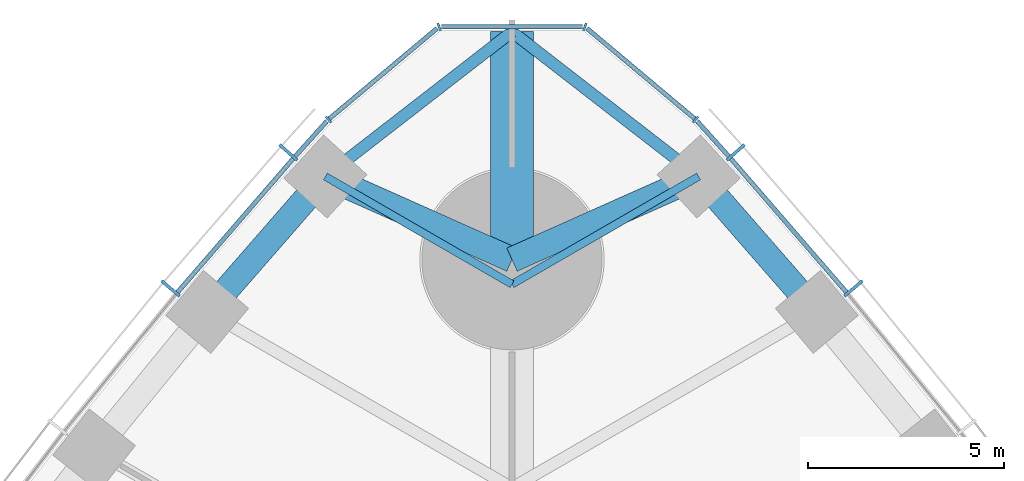
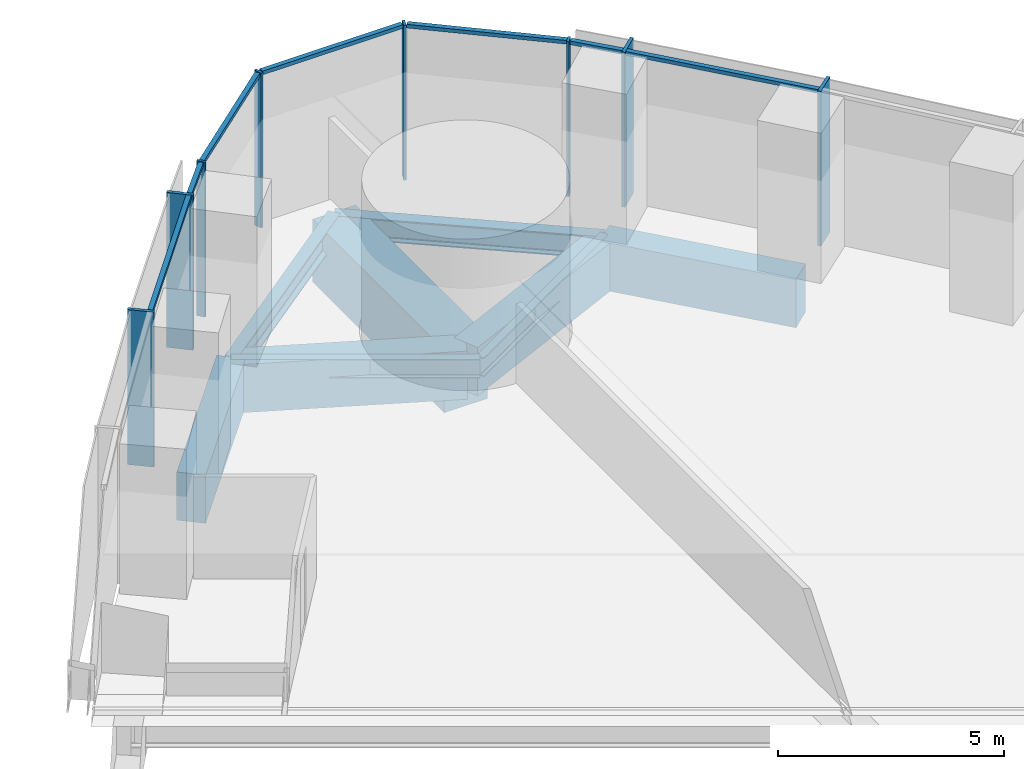
# One storey, part 7 of 19: 15 members, 9 beams, 3 elements without a shape of their own.
"""IFC4 building model written with IfcOpenShell, lengths in metres."""

from ifc_helpers import new_model, si_unit, direction, frame, origin, origin_2d, place, context, subcontext, project, spatial, rectangle, i_section, extrude, material, material_profile, profile_set, type_object, element, aggregate, save


model = new_model("IFC4")

# Units and contexts
model_context = context("Model", 3, precision=1e-05, world=origin(), true_north=direction((0.0, 1.0)))
body_context = subcontext(model_context, "Body", "Model", "MODEL_VIEW")
ifc_project = project(units=[si_unit("LENGTHUNIT", "METRE"), si_unit("AREAUNIT", "SQUARE_METRE"), si_unit("VOLUMEUNIT", "CUBIC_METRE"), si_unit("PLANEANGLEUNIT", "RADIAN"), si_unit("MASSUNIT", "GRAM", prefix="KILO")], contexts=[model_context])

# Site, building, storey
site_placement = place(None, origin())
site = spatial("IfcSite", under=ifc_project, at=site_placement, CompositionType="ELEMENT")
building_placement = place(site_placement, origin())
building = spatial("IfcBuilding", under=site, at=building_placement, Name="Trefoil Bronze Tower", CompositionType="ELEMENT")
storey_placement = place(building_placement, frame((0.0, 0.0, 16.5)))
storey = spatial("IfcBuildingStorey", under=building, at=storey_placement, Name="L03", CompositionType="ELEMENT", Elevation=16.5)

# Curtain wall, members
ifc_material_1 = material(Name="Tinted solar-control glass", Category="glass")
curtain_wall_type_1 = type_object("IfcCurtainWallType", Name="Bronze office curtain wall", PredefinedType="USERDEFINED", material=ifc_material_1)
curtain_wall_1_placement = place(storey_placement, origin())
curtain_wall_1 = element("IfcCurtainWall", 1, at=curtain_wall_1_placement, inside=storey, type_object=curtain_wall_type_1, Name="CW-A L03 F2", ObjectType="CURTAIN WALL", PredefinedType="USERDEFINED")
ifc_material_2 = material(Name="Bronze-finish aluminium", Category="aluminium")
ifc_material_profile_1 = material_profile(ifc_material_2, rectangle(XDim=0.60009765625, YDim=0.080078125, at=origin_2d()), Name="CW-A mullion")
ifc_profile_set_1 = profile_set([ifc_material_profile_1], Name="Bronze-finish aluminium")
member_type_1 = type_object("IfcMemberType", Name="Bronze office curtain wall mullion", PredefinedType="MULLION", material=ifc_profile_set_1)
member_1_placement = place(storey_placement, frame((8.709716796875, 36.265869140625, 0.0), z_axis=(0.0, 0.0, 1.0), x_axis=(-0.765729101889, -0.643163231629, 0.0)))
member_1 = element("IfcMember", 2, at=member_1_placement, type_object=member_type_1, Name="CW-A L03 F2 mullion 15", PredefinedType="MULLION", context=body_context, shape_type="SweptSolid", body=[
    extrude(rectangle(XDim=0.60009765625, YDim=0.080078125, at=origin_2d()), origin(), (0.0, 0.0, 1.0), 4.179931640625),
])
member_2_placement = place(storey_placement, frame((5.70654296875, 39.736328125, 0.0), z_axis=(0.0, 0.0, 1.0), x_axis=(-0.7499405861, -0.661505190698, 0.0)))
member_2 = element("IfcMember", 3, at=member_2_placement, type_object=member_type_1, Name="CW-A L03 F2 mullion 16", PredefinedType="MULLION", context=body_context, shape_type="SweptSolid", body=[
    extrude(rectangle(XDim=0.60009765625, YDim=0.080078125, at=origin_2d()), origin(), (0.0, 0.0, 1.0), 4.179931640625),
])

curtain_wall_2_placement = place(storey_placement, origin())
curtain_wall_2 = element("IfcCurtainWall", 4, at=curtain_wall_2_placement, inside=storey, type_object=curtain_wall_type_1, Name="CW-A L03 F3", ObjectType="CURTAIN WALL", PredefinedType="USERDEFINED")
member_3_placement = place(storey_placement, frame((-5.70654296875, 39.736328125, 0.0), z_axis=(0.0, 0.0, 1.0), x_axis=(0.7499405861, -0.661505190698, 0.0)))
member_3 = element("IfcMember", 5, at=member_3_placement, type_object=member_type_1, Name="CW-A L03 F3 mullion 2", PredefinedType="MULLION", context=body_context, shape_type="SweptSolid", body=[
    extrude(rectangle(XDim=0.60009765625, YDim=0.080078125, at=origin_2d()), origin(), (0.0, 0.0, 1.0), 4.179931640625),
])
member_4_placement = place(storey_placement, frame((-8.709716796875, 36.265869140625, 0.0), z_axis=(0.0, 0.0, 1.0), x_axis=(0.765729101889, -0.643163231629, 0.0)))
member_4 = element("IfcMember", 6, at=member_4_placement, type_object=member_type_1, Name="CW-A L03 F3 mullion 3", PredefinedType="MULLION", context=body_context, shape_type="SweptSolid", body=[
    extrude(rectangle(XDim=0.60009765625, YDim=0.080078125, at=origin_2d()), origin(), (0.0, 0.0, 1.0), 4.179931640625),
])

# Member
ifc_material_3 = material(Name="Bronze-finish aluminium", Category="aluminium")
ifc_material_profile_2 = material_profile(ifc_material_3, rectangle(XDim=0.1201171875, YDim=0.10009765625, at=origin_2d()), Name="CW-A transom")
ifc_profile_set_2 = profile_set([ifc_material_profile_2], Name="Bronze-finish aluminium")
member_type_2 = type_object("IfcMemberType", Name="Bronze office curtain wall transom", PredefinedType="USERDEFINED", material=ifc_profile_set_2)
member_5_placement = place(storey_placement, frame((8.529541015625, 36.16845703125, 4.1298828125), z_axis=(-0.654383303203, 0.75616300656, 0.0), x_axis=(-0.75616300656, -0.654383303203, 0.0)))
member_5 = element("IfcMember", 7, at=member_5_placement, type_object=member_type_2, Name="CW-A L03 F2 transom 15", ObjectType="TRANSOM", PredefinedType="USERDEFINED", context=body_context, shape_type="SweptSolid", body=[
    extrude(rectangle(XDim=0.1201171875, YDim=0.10009765625, at=origin_2d()), origin(), (0.0, 0.0, 1.0), 4.50244140625),
])

member_6_placement = place(storey_placement, frame((5.529052734375, 39.634521484375, 4.1298828125), z_axis=(-0.66858567461, 0.743635122695, 0.0), x_axis=(-0.743635122695, -0.66858567461, 0.0)))
member_6 = element("IfcMember", 8, at=member_6_placement, type_object=member_type_2, Name="CW-A L03 F2 transom 16", ObjectType="TRANSOM", PredefinedType="USERDEFINED", context=body_context, shape_type="SweptSolid", body=[
    extrude(rectangle(XDim=0.1201171875, YDim=0.10009765625, at=origin_2d()), origin(), (0.0, 0.0, 1.0), 1.210205078125),
])

aggregate(curtain_wall_1, [member_1, member_2, member_5, member_6])

member_7_placement = place(storey_placement, frame((-4.719970703125, 40.534423828125, 4.1298828125), z_axis=(-0.66858567461, -0.743635122695, 0.0), x_axis=(0.743635122695, -0.66858567461, 0.0)))
member_7 = element("IfcMember", 9, at=member_7_placement, type_object=member_type_2, Name="CW-A L03 F3 transom 1", ObjectType="TRANSOM", PredefinedType="USERDEFINED", context=body_context, shape_type="SweptSolid", body=[
    extrude(rectangle(XDim=0.1201171875, YDim=0.10009765625, at=origin_2d()), origin(), (0.0, 0.0, 1.0), 1.210205078125),
])

member_8_placement = place(storey_placement, frame((-5.583251953125, 39.572998046875, 4.1298828125), z_axis=(-0.654383303203, -0.75616300656, 0.0), x_axis=(0.75616300656, -0.654383303203, 0.0)))
member_8 = element("IfcMember", 10, at=member_8_placement, type_object=member_type_2, Name="CW-A L03 F3 transom 2", ObjectType="TRANSOM", PredefinedType="USERDEFINED", context=body_context, shape_type="SweptSolid", body=[
    extrude(rectangle(XDim=0.1201171875, YDim=0.10009765625, at=origin_2d()), origin(), (0.0, 0.0, 1.0), 4.50244140625),
])

aggregate(curtain_wall_2, [member_3, member_4, member_7, member_8])

# Curtain wall, members
ifc_material_4 = material(Name="Tinted solar-control glass", Category="glass")
curtain_wall_type_2 = type_object("IfcCurtainWallType", Name="Bronze rounded corner curtain wall", PredefinedType="USERDEFINED", material=ifc_material_4)
curtain_wall_3_placement = place(storey_placement, origin())
curtain_wall_3 = element("IfcCurtainWall", 11, at=curtain_wall_3_placement, inside=storey, type_object=curtain_wall_type_2, Name="CW-B L03 K2", ObjectType="CURTAIN WALL", PredefinedType="USERDEFINED")
ifc_material_5 = material(Name="Bronze-finish aluminium", Category="aluminium")
ifc_material_profile_3 = material_profile(ifc_material_5, rectangle(XDim=0.199951171875, YDim=0.06005859375, at=origin_2d()), Name="CW-B mullion")
ifc_profile_set_3 = profile_set([ifc_material_profile_3], Name="Bronze-finish aluminium")
member_type_3 = type_object("IfcMemberType", Name="Bronze rounded corner curtain wall mullion", PredefinedType="MULLION", material=ifc_profile_set_3)
member_9_placement = place(storey_placement, frame((4.68310546875, 40.573974609375, 0.0), z_axis=(0.0, 0.0, 1.0), x_axis=(-0.642787609687, -0.766044443119, 0.0)))
member_9 = element("IfcMember", 12, at=member_9_placement, type_object=member_type_3, Name="CW-B L03 K2 mullion 1", PredefinedType="MULLION", context=body_context, shape_type="SweptSolid", body=[
    extrude(rectangle(XDim=0.199951171875, YDim=0.06005859375, at=origin_2d()), origin(), (0.0, 0.0, 1.0), 4.179931640625),
])
member_10_placement = place(storey_placement, frame((1.8583984375, 42.9365234375, 0.0), z_axis=(0.0, 0.0, 1.0), x_axis=(-0.342020143326, -0.939692620786, 0.0)))
member_10 = element("IfcMember", 13, at=member_10_placement, type_object=member_type_3, Name="CW-B L03 K2 mullion 2", PredefinedType="MULLION", context=body_context, shape_type="SweptSolid", body=[
    extrude(rectangle(XDim=0.199951171875, YDim=0.06005859375, at=origin_2d()), origin(), (0.0, 0.0, 1.0), 4.179931640625),
])
member_11_placement = place(storey_placement, frame((-1.8583984375, 42.9365234375, 0.0), z_axis=(0.0, 0.0, 1.0), x_axis=(0.342020143326, -0.939692620786, 0.0)))
member_11 = element("IfcMember", 14, at=member_11_placement, type_object=member_type_3, Name="CW-B L03 K2 mullion 3", PredefinedType="MULLION", context=body_context, shape_type="SweptSolid", body=[
    extrude(rectangle(XDim=0.199951171875, YDim=0.06005859375, at=origin_2d()), origin(), (0.0, 0.0, 1.0), 4.179931640625),
])
member_12_placement = place(storey_placement, frame((-4.68310546875, 40.573974609375, 0.0), z_axis=(0.0, 0.0, 1.0), x_axis=(0.642787609687, -0.766044443119, 0.0)))
member_12 = element("IfcMember", 15, at=member_12_placement, type_object=member_type_3, Name="CW-B L03 K2 mullion 4", PredefinedType="MULLION", context=body_context, shape_type="SweptSolid", body=[
    extrude(rectangle(XDim=0.199951171875, YDim=0.06005859375, at=origin_2d()), origin(), (0.0, 0.0, 1.0), 4.179931640625),
])
ifc_material_6 = material(Name="Bronze-finish aluminium", Category="aluminium")
ifc_material_profile_4 = material_profile(ifc_material_6, rectangle(XDim=0.1201171875, YDim=0.10009765625, at=origin_2d()), Name="CW-B transom")
ifc_profile_set_4 = profile_set([ifc_material_profile_4], Name="Bronze-finish aluminium")
member_type_4 = type_object("IfcMemberType", Name="Bronze rounded corner curtain wall transom", PredefinedType="USERDEFINED", material=ifc_profile_set_4)
member_13_placement = place(storey_placement, frame((4.66015625, 40.59326171875, 4.1298828125), z_axis=(-0.766058606238, 0.642770730361, 0.0), x_axis=(-0.642770730361, -0.766058606238, 0.0)))
member_13 = element("IfcMember", 16, at=member_13_placement, type_object=member_type_4, Name="CW-B L03 K2 transom 1", ObjectType="TRANSOM", PredefinedType="USERDEFINED", context=body_context, shape_type="SweptSolid", body=[
    extrude(rectangle(XDim=0.1201171875, YDim=0.10009765625, at=origin_2d()), origin(), (0.0, 0.0, 1.0), 3.588134765625),
])
member_14_placement = place(storey_placement, frame((1.794189453125, 42.9423828125, 4.1298828125), z_axis=(-1.0, 0.0, 0.0), x_axis=(0.0, -1.0, 0.0)))
member_14 = element("IfcMember", 17, at=member_14_placement, type_object=member_type_4, Name="CW-B L03 K2 transom 2", ObjectType="TRANSOM", PredefinedType="USERDEFINED", context=body_context, shape_type="SweptSolid", body=[
    extrude(rectangle(XDim=0.1201171875, YDim=0.10009765625, at=origin_2d()), origin(), (0.0, 0.0, 1.0), 3.58837890625),
])
member_15_placement = place(storey_placement, frame((-1.911376953125, 42.899658203125, 4.1298828125), z_axis=(-0.766058606238, -0.642770730361, 0.0), x_axis=(0.642770730361, -0.766058606238, 0.0)))
member_15 = element("IfcMember", 18, at=member_15_placement, type_object=member_type_4, Name="CW-B L03 K2 transom 3", ObjectType="TRANSOM", PredefinedType="USERDEFINED", context=body_context, shape_type="SweptSolid", body=[
    extrude(rectangle(XDim=0.1201171875, YDim=0.10009765625, at=origin_2d()), origin(), (0.0, 0.0, 1.0), 3.588134765625),
])
aggregate(curtain_wall_3, [member_9, member_10, member_11, member_12, member_13, member_14, member_15])

# Beams
ifc_material_7 = material(Name="Concrete B80", Category="concrete")
ifc_material_profile_5 = material_profile(ifc_material_7, rectangle(XDim=1.10009765625, YDim=1.699951171875, at=origin_2d()), Name="RC 1100x1700")
ifc_profile_set_5 = profile_set([ifc_material_profile_5], Name="Concrete B80")
beam_type_1 = type_object("IfcBeamType", Name="Corner cantilever RC 1100x1700", PredefinedType="BEAM", material=ifc_profile_set_5)
beam_placement = place(storey_placement, frame((0.0, 37.0, -1.050048828125), z_axis=(0.0, 1.0, 0.0), x_axis=(-1.0, 0.0, 0.0)))
element("IfcBeam", 19, at=beam_placement, inside=storey, type_object=beam_type_1, Name="Corner cantilever K2 L03", PredefinedType="BEAM", context=body_context, shape_type="SweptSolid", body=[
    extrude(rectangle(XDim=1.10009765625, YDim=1.699951171875, at=origin_2d()), origin(), (0.0, 0.0, 1.0), 5.814208984375),
])
ifc_material_8 = material(Name="Steel C355", Category="steel")
ifc_material_profile_6 = material_profile(ifc_material_8, i_section(OverallWidth=0.300048828125, OverallDepth=0.60009765625, WebThickness=0.015380859375, FlangeThickness=0.030029296875, FilletRadius=0.027099609375, at=origin_2d()), Name="HEB 600")
ifc_profile_set_6 = profile_set([ifc_material_profile_6], Name="Steel C355")
beam_type_2 = type_object("IfcBeamType", Name="Corner edge beam HEB 600", PredefinedType="BEAM", material=ifc_profile_set_6)
for number, where, z_axis, x_axis, name in (
    (20, (4.76171875, 39.122314453125, -0.5), (-0.790289474622, 0.612733666696, 0.0), (-0.612733666696, -0.790289474622, 0.0), "Corner edge beam F2A L03"),
    (21, (-4.76171875, 39.122314453125, -0.5), (0.790289474622, 0.612733666696, 0.0), (-0.612733666696, 0.790289474622, 0.0), "Corner edge beam F3B L03"),
):
    element("IfcBeam", number, at=place(storey_placement, frame(where, z_axis=z_axis, x_axis=x_axis)), inside=storey, type_object=beam_type_2, Name=name, PredefinedType="BEAM", context=body_context, shape_type="SweptSolid", body=[
        extrude(i_section(OverallWidth=0.300048828125, OverallDepth=0.60009765625, WebThickness=0.015380859375, FlangeThickness=0.030029296875, FilletRadius=0.027099609375, at=origin_2d()), origin(), (0.0, 0.0, 1.0), 6.025390625),
    ])
ifc_material_9 = material(Name="Concrete B80", Category="concrete")
ifc_material_profile_7 = material_profile(ifc_material_9, rectangle(XDim=0.64990234375, YDim=1.300048828125, at=origin_2d()), Name="RC 650x1300")
ifc_profile_set_7 = profile_set([ifc_material_profile_7], Name="Concrete B80")
beam_type_3 = type_object("IfcBeamType", Name="End spandrel beam RC 650x1300", PredefinedType="SPANDREL", material=ifc_profile_set_7)
for number, where, z_axis, x_axis, name in (
    (22, (4.76171875, 39.122314453125, -0.85009765625), (-0.913384257879, -0.407098510754, 0.0), (0.407098510754, -0.913384257879, 0.0), "Spandrel F2.16 L03"),
    (23, (0.0, 37.0, -0.85009765625), (-0.913384257879, 0.407098510754, 0.0), (-0.407098510754, -0.913384257879, 0.0), "Spandrel F3.1 L03"),
):
    element("IfcBeam", number, at=place(storey_placement, frame(where, z_axis=z_axis, x_axis=x_axis)), inside=storey, type_object=beam_type_3, Name=name, PredefinedType="SPANDREL", context=body_context, shape_type="SweptSolid", body=[
        extrude(rectangle(XDim=0.64990234375, YDim=1.300048828125, at=origin_2d()), origin(), (0.0, 0.0, 1.0), 5.21337890625),
    ])
ifc_material_10 = material(Name="Steel C355", Category="steel")
ifc_material_profile_8 = material_profile(ifc_material_10, i_section(OverallWidth=0.199951171875, OverallDepth=0.5, WebThickness=0.01025390625, FlangeThickness=0.01611328125, FilletRadius=0.02099609375, at=origin_2d()), Name="IPE 500")
ifc_profile_set_8 = profile_set([ifc_material_profile_8], Name="Steel C355")
beam_type_4 = type_object("IfcBeamType", Name="Floor beam IPE 500", PredefinedType="BEAM", material=ifc_profile_set_8)
for number, where, z_axis, x_axis, name in (
    (24, (4.76171875, 39.122314453125, -0.449951171875), (-0.866018475376, -0.500012000164, 0.0), (0.500012000164, -0.866018475376, 0.0), "Floor beam F2/+7 L03"),
    (25, (-4.76171875, 39.122314453125, -0.449951171875), (0.866018475376, -0.500012000164, 0.0), (0.500012000164, 0.866018475376, 0.0), "Floor beam F3/-7 L03"),
):
    element("IfcBeam", number, at=place(storey_placement, frame(where, z_axis=z_axis, x_axis=x_axis)), inside=storey, type_object=beam_type_4, Name=name, PredefinedType="BEAM", context=body_context, shape_type="SweptSolid", body=[
        extrude(i_section(OverallWidth=0.199951171875, OverallDepth=0.5, WebThickness=0.01025390625, FlangeThickness=0.01611328125, FilletRadius=0.02099609375, at=origin_2d()), origin(), (0.0, 0.0, 1.0), 5.498291015625),
    ])
ifc_material_11 = material(Name="Concrete B80", Category="concrete")
ifc_material_profile_9 = material_profile(ifc_material_11, rectangle(XDim=0.64990234375, YDim=1.300048828125, at=origin_2d()), Name="RC 650x1300")
ifc_profile_set_9 = profile_set([ifc_material_profile_9], Name="Concrete B80")
beam_type_5 = type_object("IfcBeamType", Name="Spandrel beam RC 650x1300", PredefinedType="SPANDREL", material=ifc_profile_set_9)
for number, where, z_axis, x_axis, name in (
    (26, (7.7763671875, 35.666748046875, -0.85009765625), (-0.657395767989, 0.753545489158, 0.0), (-0.753545489158, -0.657395767989, 0.0), "Spandrel F2.15 L03"),
    (27, (-4.76171875, 39.122314453125, -0.85009765625), (-0.657395767989, -0.753545489158, 0.0), (0.753545489158, -0.657395767989, 0.0), "Spandrel F3.2 L03"),
):
    element("IfcBeam", number, at=place(storey_placement, frame(where, z_axis=z_axis, x_axis=x_axis)), inside=storey, type_object=beam_type_5, Name=name, PredefinedType="SPANDREL", context=body_context, shape_type="SweptSolid", body=[
        extrude(rectangle(XDim=0.64990234375, YDim=1.300048828125, at=origin_2d()), origin(), (0.0, 0.0, 1.0), 4.585693359375),
    ])

save(model, "model.ifc")
